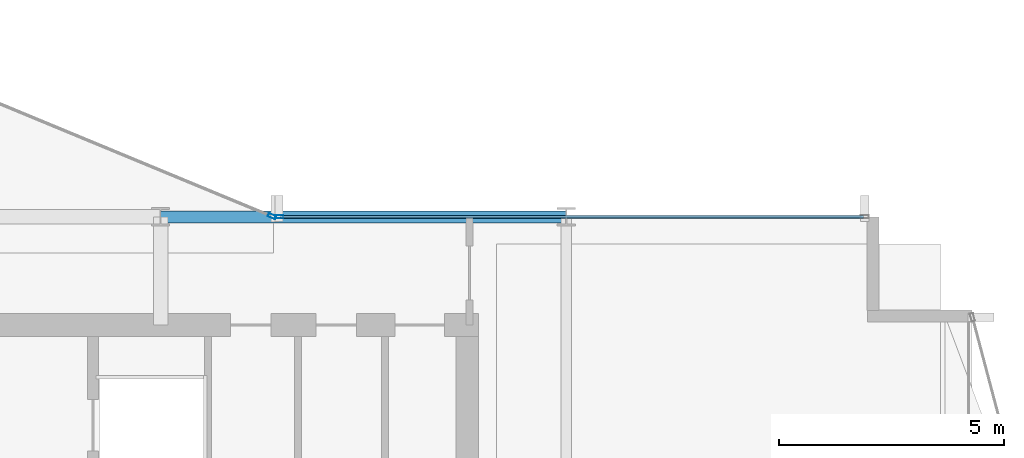
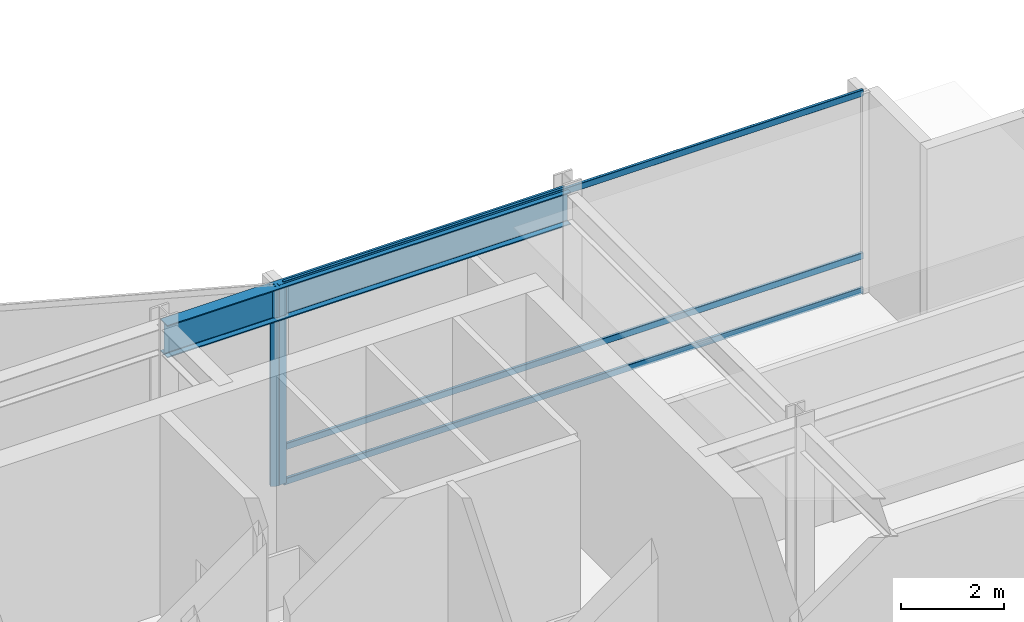
# One storey, part 14 of 29: 5 members, 1 beam, 2 elements without a shape of their own.
"""IFC4 building model written with IfcOpenShell, lengths in metres."""

import ifcopenshell
import ifcopenshell.guid

model = None  # the IFC model being written
_history = None  # IfcOwnerHistory: only IFC2X3 demands one
_inside = {}  # id of a spatial element -> (the spatial element, [elements in it])
_under = {}  # id of a project, library or spatial element -> (it, [spatial elements below it])
_declared = {}  # id of a project -> (the project, [libraries it declares])
_typed = {}  # id of a type object -> (the type object, [elements of that type])
_made_of = {}  # id of a material, layer set ... -> (it, [elements and type objects made of it])


def new_model(schema):
    """Start an empty IFC model of exactly this schema.

    Asked for "IFC4X3", IfcOpenShell would pick the latest addendum, in which some entities
    have other attributes; the version numbers below select the first issue.
    IFC2X3 requires an IfcOwnerHistory on every rooted entity: one is made here for all.
    """
    global model, _history
    if schema == "IFC4X3":
        model = ifcopenshell.file(schema_version=(4, 3, 0, 0))
    else:
        model = ifcopenshell.file(schema=schema)
    _inside.clear()
    _under.clear()
    _declared.clear()
    _typed.clear()
    _made_of.clear()
    _history = None
    if model.schema == "IFC2X3":
        org = make("IfcOrganization", Name="unknown")
        user = make(
            "IfcPersonAndOrganization",
            ThePerson=make("IfcPerson", FamilyName="unknown"),
            TheOrganization=org,
        )
        app = make(
            "IfcApplication",
            ApplicationDeveloper=org,
            Version="unknown",
            ApplicationFullName="unknown",
            ApplicationIdentifier="unknown",
        )
        _history = make(
            "IfcOwnerHistory",
            OwningUser=user,
            OwningApplication=app,
            ChangeAction="ADDED",
            CreationDate=0,
        )
    return model


def make(cls, **values):
    """One entity of the class cls with the attributes given. An attribute that is None is left unset."""
    return model.create_entity(
        cls, **{name: value for name, value in values.items() if value is not None}
    )


def rooted(cls, **values):
    """An entity with a GlobalId (a new one), such as an element, a storey or a relation."""
    return make(cls, GlobalId=ifcopenshell.guid.new(), OwnerHistory=_history, **values)


def si_unit(unit_type, name, prefix=None):
    """IfcSIUnit, for example si_unit("LENGTHUNIT", "METRE", prefix="MILLI")."""
    return make("IfcSIUnit", UnitType=unit_type, Prefix=prefix, Name=name)


def assignment(units):
    """IfcUnitAssignment: the units of a project."""
    return None if units is None else make("IfcUnitAssignment", Units=units)


def point(xyz):
    """IfcCartesianPoint."""
    return None if xyz is None else make("IfcCartesianPoint", Coordinates=xyz)


def direction(xyz):
    """IfcDirection."""
    return None if xyz is None else make("IfcDirection", DirectionRatios=xyz)


def frame(location, z_axis=None, x_axis=None):
    """IfcAxis2Placement3D, a coordinate frame: its origin and axes. An axis left out is left unset."""
    return make(
        "IfcAxis2Placement3D",
        Location=point(location),
        Axis=direction(z_axis),
        RefDirection=direction(x_axis),
    )


def frame_2d(location, x_axis=None):
    """IfcAxis2Placement2D, a coordinate frame in the plane: its origin and x axis."""
    return make(
        "IfcAxis2Placement2D", Location=point(location), RefDirection=direction(x_axis)
    )


def origin():
    """The frame at (0, 0, 0) with its axes left unset."""
    return frame((0.0, 0.0, 0.0))


def origin_2d():
    """The frame at (0, 0) in the plane with its x axis left unset."""
    return frame_2d((0.0, 0.0))


def place(relative_to, where):
    """IfcLocalPlacement: puts the frame where relative to a parent placement (None: the world)."""
    return make(
        "IfcLocalPlacement", PlacementRelTo=relative_to, RelativePlacement=where
    )


def context(
    kind, dimensions, precision=None, world=None, true_north=None, identifier=None
):
    """IfcGeometricRepresentationContext, for example the 3D "Model" context."""
    return make(
        "IfcGeometricRepresentationContext",
        ContextIdentifier=identifier,
        ContextType=kind,
        CoordinateSpaceDimension=dimensions,
        Precision=precision,
        WorldCoordinateSystem=world,
        TrueNorth=true_north,
    )


def subcontext(parent, identifier, kind, view, scale=None):
    """IfcGeometricRepresentationSubContext, for example "Body" below "Model"."""
    return make(
        "IfcGeometricRepresentationSubContext",
        ContextIdentifier=identifier,
        ContextType=kind,
        ParentContext=parent,
        TargetScale=scale,
        TargetView=view,
    )


def project(units=None, contexts=None):
    """IfcProject with its units and contexts."""
    return rooted(
        "IfcProject",
        Name="project",
        RepresentationContexts=contexts,
        UnitsInContext=assignment(units),
    )


def spatial(cls, under=None, at=None, **own):
    """A site, building, storey or space (cls), placed at a placement, below another one or the project."""
    s = rooted(cls, ObjectPlacement=at, **own)
    if under is not None:
        _under.setdefault(under.id(), (under, []))[1].append(s)
    return s


def profile(cls, at=None, kind="AREA", **sizes):
    """A parametric profile (cls). Its sizes go by their IFC names, for example OverallWidth=200.0."""
    return make(cls, ProfileType=kind, Position=at, **sizes)


def hollow_rectangle(**sizes):
    """IfcRectangleHollowProfileDef."""
    return profile("IfcRectangleHollowProfileDef", **sizes)


def i_section(**sizes):
    """IfcIShapeProfileDef."""
    return profile("IfcIShapeProfileDef", **sizes)


def extrude(swept, where, along, depth):
    """IfcExtrudedAreaSolid: the profile swept, set in the frame where, extruded along a direction by depth."""
    return make(
        "IfcExtrudedAreaSolid",
        SweptArea=swept,
        Position=where,
        ExtrudedDirection=direction(along),
        Depth=depth,
    )


def shape(context_of_items, identifier, shape_type, items):
    """IfcShapeRepresentation: the items that make up one representation, for example the "Body"."""
    return make(
        "IfcShapeRepresentation",
        ContextOfItems=context_of_items,
        RepresentationIdentifier=identifier,
        RepresentationType=shape_type,
        Items=items,
    )


def material(Name=None, Category=None):
    """IfcMaterial."""
    return make("IfcMaterial", Name=Name, Category=Category)


def layer(
    of_material, thickness, ventilated=None, Name=None, Category=None, Priority=None
):
    """IfcMaterialLayer: one layer of a wall or slab, of a material (None: an air gap)."""
    return make(
        "IfcMaterialLayer",
        Material=of_material,
        LayerThickness=thickness,
        IsVentilated=ventilated,
        Name=Name,
        Category=Category,
        Priority=Priority,
    )


def layer_set(layers, Name=None):
    """IfcMaterialLayerSet."""
    return make("IfcMaterialLayerSet", MaterialLayers=layers, LayerSetName=Name)


def material_profile(
    of_material, cross_section, Name=None, Category=None, Priority=None
):
    """IfcMaterialProfile: a cross section and its material."""
    return make(
        "IfcMaterialProfile",
        Name=Name,
        Material=of_material,
        Profile=cross_section,
        Priority=Priority,
        Category=Category,
    )


def profile_set(profiles, Name=None, composite=None):
    """IfcMaterialProfileSet."""
    return make(
        "IfcMaterialProfileSet",
        Name=Name,
        MaterialProfiles=profiles,
        CompositeProfile=composite,
    )


def made_of(thing, what):
    """Note that an element or type object is made of a material, layer set ...; save() writes the relation."""
    if what is not None:
        _made_of.setdefault(what.id(), (what, []))[1].append(thing)
    return thing


def type_object(cls, material=None, **own):
    """A type object (cls), such as IfcWallType, which elements share."""
    return made_of(rooted(cls, **own), material)


def element(
    cls,
    number,
    at=None,
    inside=None,
    cuts=None,
    type_object=None,
    material=None,
    context=None,
    identifier="Body",
    shape_type=None,
    held_by="IfcProductDefinitionShape",
    body=None,
    shapes=None,
    **own,
):
    """One element of the class cls, such as IfcWall. Its Tag is "e" and its number.

    at: its placement. inside: the storey or other place that contains it. cuts: it is an
    opening in that element (IfcRelVoidsElement). A single representation is given by context,
    identifier, shape_type and body (its items); several are given by shapes. held_by: the class
    of the entity that holds the representations. save() writes the other relations.
    """
    e = rooted(cls, Tag="e%d" % number, ObjectPlacement=at, **own)
    if body is not None:
        shapes = [shape(context, identifier, shape_type, body)]
    if shapes is not None:
        e.Representation = make(held_by, Representations=shapes)
    if inside is not None:
        _inside.setdefault(inside.id(), (inside, []))[1].append(e)
    if cuts is not None:
        rooted(
            "IfcRelVoidsElement", RelatingBuildingElement=cuts, RelatedOpeningElement=e
        )
    if type_object is not None:
        _typed.setdefault(type_object.id(), (type_object, []))[1].append(e)
    return made_of(e, material)


def aggregate(whole, parts):
    """IfcRelAggregates: a whole, such as a stair, and the parts it consists of."""
    return rooted("IfcRelAggregates", RelatingObject=whole, RelatedObjects=parts)


def save(model, path):
    """Write the relations noted so far, then the file.

    IfcRelAggregates (storeys below a building ...), IfcRelContainedInSpatialStructure (elements
    in a storey), IfcRelDefinesByType, IfcRelAssociatesMaterial and IfcRelDeclares: one each for
    every whole, place, type object, material and project.
    """
    for whole, parts in _under.values():
        aggregate(whole, parts)
    for where, things in _inside.values():
        rooted(
            "IfcRelContainedInSpatialStructure",
            RelatedElements=things,
            RelatingStructure=where,
        )
    for kind, things in _typed.values():
        rooted("IfcRelDefinesByType", RelatedObjects=things, RelatingType=kind)
    for what, things in _made_of.values():
        rooted("IfcRelAssociatesMaterial", RelatedObjects=things, RelatingMaterial=what)
    for by, libraries in _declared.values():
        rooted("IfcRelDeclares", RelatingContext=by, RelatedDefinitions=libraries)
    model.write(path)


model = new_model("IFC4")

# Units and contexts
model_context = context("Model", 3, precision=1e-05, world=origin(), true_north=direction((0.0, 1.0)))
body_context = subcontext(model_context, "Body", "Model", "MODEL_VIEW")
ifc_project = project(units=[si_unit("LENGTHUNIT", "METRE"), si_unit("AREAUNIT", "SQUARE_METRE"), si_unit("VOLUMEUNIT", "CUBIC_METRE"), si_unit("PLANEANGLEUNIT", "RADIAN"), si_unit("MASSUNIT", "GRAM", prefix="KILO")], contexts=[model_context])

# Site, building, storey
site_placement = place(None, origin())
site = spatial("IfcSite", under=ifc_project, at=site_placement, CompositionType="ELEMENT")
building_placement = place(site_placement, origin())
building = spatial("IfcBuilding", under=site, at=building_placement, Name="Solvaryn Broadcast Tower", CompositionType="ELEMENT")
storey_placement = place(building_placement, frame((0.0, 0.0, 169.199951171875)))
storey = spatial("IfcBuildingStorey", under=building, at=storey_placement, Name="L42", CompositionType="ELEMENT", Elevation=169.199951171875)

# Beam
ifc_material_1 = material(Name="Steel ASTM A992 Grade 50", Category="steel")
ifc_material_profile_1 = material_profile(ifc_material_1, i_section(OverallWidth=0.26708984375, OverallDepth=0.76611328125, WebThickness=0.014892578125, FlangeThickness=0.023681640625, FilletRadius=0.01806640625, at=origin_2d()))
ifc_profile_set_1 = profile_set([ifc_material_profile_1], Name="Steel ASTM A992 Grade 50")
beam_type = type_object("IfcBeamType", Name="BM-SP2-W30X124", PredefinedType="USERDEFINED", material=ifc_profile_set_1)
beam_placement = place(storey_placement, frame((36.0, 27.0, 4.337158203125), z_axis=(1.0, 0.0, 0.0), x_axis=(0.0, 1.0, 0.0)))
element("IfcBeam", 1, at=beam_placement, inside=storey, type_object=beam_type, Name="L42 Spandrel Beam X (36-45 @ Y=27)", ObjectType="SPANDREL", PredefinedType="USERDEFINED", context=body_context, shape_type="SweptSolid", body=[
    extrude(i_section(OverallWidth=0.26708984375, OverallDepth=0.76611328125, WebThickness=0.014892578125, FlangeThickness=0.023681640625, FilletRadius=0.01806640625, at=origin_2d()), origin(), (0.0, 0.0, 1.0), 9.0),
])

# Curtain wall, member
ifc_material_2 = material(Name="Aluminium and Terracotta Unitised Curtain Wall", Category="masonry")
ifc_layer = layer(ifc_material_2, 0.25)
ifc_layer_set = layer_set([ifc_layer], Name="CW-SYS4-SKYGARDEN")
curtain_wall_type = type_object("IfcCurtainWallType", Name="CW-SYS4-SKYGARDEN", PredefinedType="NOTDEFINED", material=ifc_layer_set)
curtain_wall_1_placement = place(storey_placement, origin())
curtain_wall_1 = element("IfcCurtainWall", 2, at=curtain_wall_1_placement, inside=storey, type_object=curtain_wall_type, Name="L42 Curtain Wall CN1", PredefinedType="NOTDEFINED")
ifc_material_3 = material(Name="Anodised Aluminium 6063-T6", Category="aluminium")
ifc_material_profile_2 = material_profile(ifc_material_3, hollow_rectangle(XDim=0.074951171875, YDim=0.179931640625, WallThickness=0.00390625, InnerFilletRadius=0.00390625, OuterFilletRadius=0.008056640625, at=origin_2d()))
ifc_profile_set_2 = profile_set([ifc_material_profile_2], Name="Anodised Aluminium 6063-T6")
member_type_1 = type_object("IfcMemberType", Name="CW-MUL-180", PredefinedType="MULLION", material=ifc_profile_set_2)
member_1_placement = place(storey_placement, frame((38.47216796875, 27.011474609375, 0.0), z_axis=(0.0, 0.0, 1.0), x_axis=(-0.382646127145, -0.923894983957, 0.0)))
member_1 = element("IfcMember", 3, at=member_1_placement, type_object=member_type_1, Name="CWS4 mullion 1", PredefinedType="MULLION", context=body_context, shape_type="SweptSolid", body=[
    extrude(hollow_rectangle(XDim=0.074951171875, YDim=0.179931640625, WallThickness=0.00390625, InnerFilletRadius=0.00390625, OuterFilletRadius=0.008056640625, at=origin_2d()), origin(), (0.0, 0.0, 1.0), 4.719970703125),
])
aggregate(curtain_wall_1, [member_1])

# Curtain wall, members
curtain_wall_2_placement = place(storey_placement, origin())
curtain_wall_2 = element("IfcCurtainWall", 4, at=curtain_wall_2_placement, inside=storey, type_object=curtain_wall_type, Name="L42 Curtain Wall IH", PredefinedType="NOTDEFINED")
member_2_placement = place(storey_placement, frame((38.6298828125, 27.0, 0.0), z_axis=(0.0, 0.0, 1.0), x_axis=(0.0, 1.0, 0.0)))
member_2 = element("IfcMember", 5, at=member_2_placement, type_object=member_type_1, Name="CWS4 mullion 1", PredefinedType="MULLION", context=body_context, shape_type="SweptSolid", body=[
    extrude(hollow_rectangle(XDim=0.074951171875, YDim=0.179931640625, WallThickness=0.00390625, InnerFilletRadius=0.00390625, OuterFilletRadius=0.008056640625, at=origin_2d()), origin(), (0.0, 0.0, 1.0), 4.719970703125),
])
ifc_material_4 = material(Name="Anodised Aluminium 6063-T6", Category="aluminium")
ifc_material_profile_3 = material_profile(ifc_material_4, hollow_rectangle(XDim=0.06494140625, YDim=0.14990234375, WallThickness=0.00390625, InnerFilletRadius=0.00390625, OuterFilletRadius=0.008056640625, at=origin_2d()))
ifc_profile_set_3 = profile_set([ifc_material_profile_3], Name="Anodised Aluminium 6063-T6")
member_type_2 = type_object("IfcMemberType", Name="CW-TRN-150", PredefinedType="USERDEFINED", material=ifc_profile_set_3)
member_3_placement = place(storey_placement, frame((38.659912109375, 27.0, 0.030029296875), z_axis=(1.0, 0.0, 0.0), x_axis=(0.0, 1.0, 0.0)))
member_3 = element("IfcMember", 6, at=member_3_placement, type_object=member_type_2, Name="CWS4 transom 1.1", ObjectType="TRANSOM", PredefinedType="USERDEFINED", context=body_context, shape_type="SweptSolid", body=[
    extrude(hollow_rectangle(XDim=0.06494140625, YDim=0.14990234375, WallThickness=0.00390625, InnerFilletRadius=0.00390625, OuterFilletRadius=0.008056640625, at=origin_2d()), origin(), (0.0, 0.0, 1.0), 12.93017578125),
])
member_4_placement = place(storey_placement, frame((38.659912109375, 27.0, 0.85009765625), z_axis=(1.0, 0.0, 0.0), x_axis=(0.0, 1.0, 0.0)))
member_4 = element("IfcMember", 7, at=member_4_placement, type_object=member_type_2, Name="CWS4 transom 1.2", ObjectType="TRANSOM", PredefinedType="USERDEFINED", context=body_context, shape_type="SweptSolid", body=[
    extrude(hollow_rectangle(XDim=0.06494140625, YDim=0.14990234375, WallThickness=0.00390625, InnerFilletRadius=0.00390625, OuterFilletRadius=0.008056640625, at=origin_2d()), origin(), (0.0, 0.0, 1.0), 12.93017578125),
])
member_5_placement = place(storey_placement, frame((38.659912109375, 27.0, 4.68994140625), z_axis=(1.0, 0.0, 0.0), x_axis=(0.0, 1.0, 0.0)))
member_5 = element("IfcMember", 8, at=member_5_placement, type_object=member_type_2, Name="CWS4 transom 1.3", ObjectType="TRANSOM", PredefinedType="USERDEFINED", context=body_context, shape_type="SweptSolid", body=[
    extrude(hollow_rectangle(XDim=0.06494140625, YDim=0.14990234375, WallThickness=0.00390625, InnerFilletRadius=0.00390625, OuterFilletRadius=0.008056640625, at=origin_2d()), origin(), (0.0, 0.0, 1.0), 12.93017578125),
])
aggregate(curtain_wall_2, [member_2, member_3, member_4, member_5])

save(model, "model.ifc")
